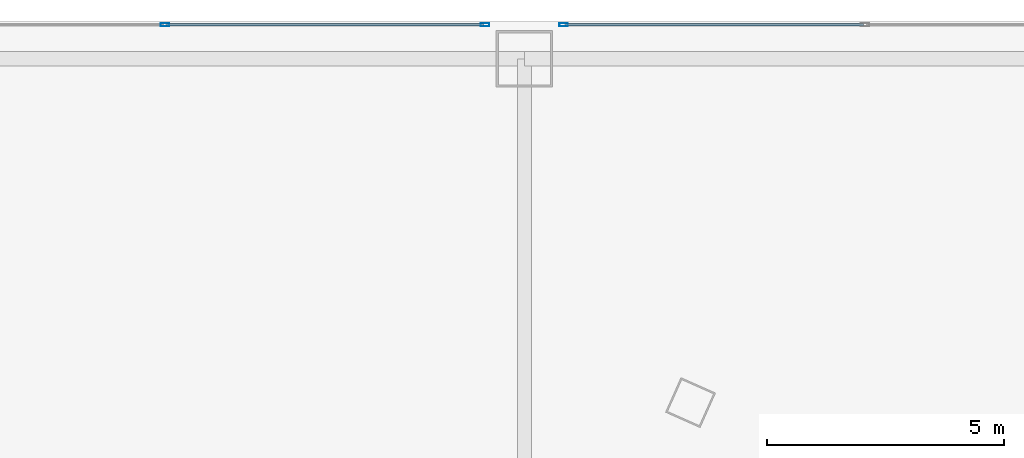
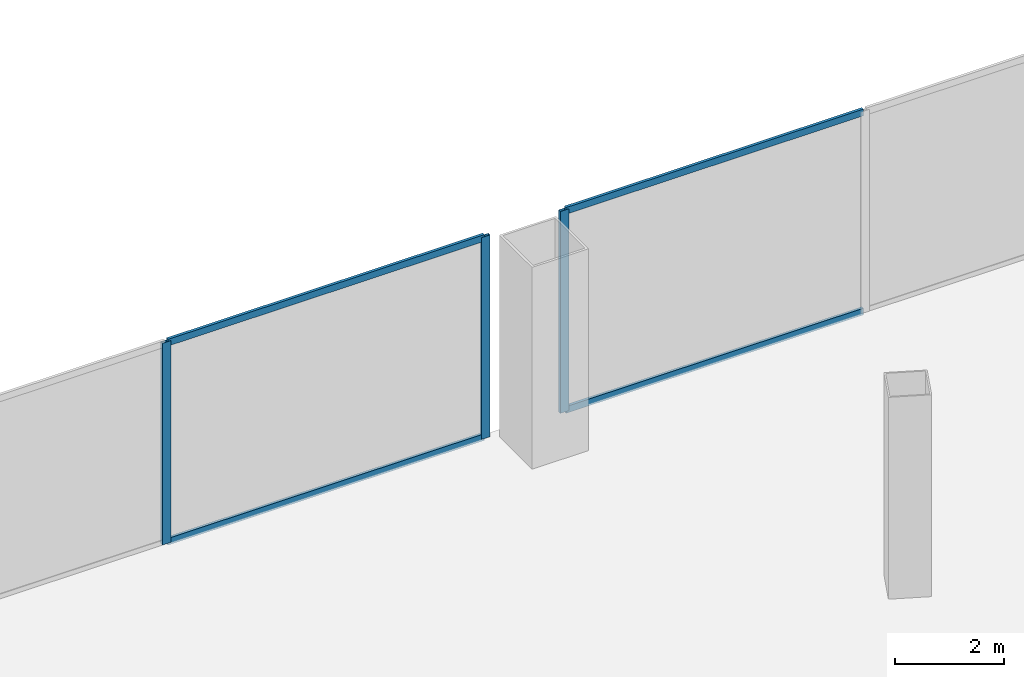
# One storey, part 26 of 40: 7 members, 2 elements without a shape of their own.
"""IFC4 building model written with IfcOpenShell, lengths in metres."""

from ifc_helpers import new_model, si_unit, direction, frame, origin, origin_2d, place, context, subcontext, project, spatial, hollow_rectangle, extrude, source, transform, mapped, material, layer, layer_set, material_profile, profile_set, type_object, element, aggregate, save


model = new_model("IFC4")

# Units and contexts
model_context = context("Model", 3, precision=1e-05, world=origin(), true_north=direction((0.0, 1.0)))
body_context = subcontext(model_context, "Body", "Model", "MODEL_VIEW")
ifc_project = project(units=[si_unit("LENGTHUNIT", "METRE"), si_unit("AREAUNIT", "SQUARE_METRE"), si_unit("VOLUMEUNIT", "CUBIC_METRE"), si_unit("PLANEANGLEUNIT", "RADIAN"), si_unit("MASSUNIT", "GRAM", prefix="KILO"), si_unit("THERMODYNAMICTEMPERATUREUNIT", "KELVIN"), si_unit("POWERUNIT", "WATT")], contexts=[model_context])

# Site, building, storey
site_placement = place(None, origin())
site = spatial("IfcSite", under=ifc_project, at=site_placement, CompositionType="ELEMENT")
building_placement = place(site_placement, origin())
building = spatial("IfcBuilding", under=site, at=building_placement, Name="Yunzhuo Pagoda Commons", CompositionType="ELEMENT")
storey_placement = place(building_placement, frame((0.0, 0.0, 14.39990234375)))
storey = spatial("IfcBuildingStorey", under=building, at=storey_placement, Name="L04", CompositionType="ELEMENT", Elevation=14.39990234375)

# Curtain wall, members
ifc_material = material(Name="Anodized aluminium 6063-T6", Category="aluminium")
ifc_layer = layer(ifc_material, 0.179931640625)
ifc_layer_set = layer_set([ifc_layer], Name="Anodized aluminium 6063-T6")
curtain_wall_type = type_object("IfcCurtainWallType", Name="CW-POD Waterfront Podium Curtain Wall", PredefinedType="NOTDEFINED", material=ifc_layer_set)
curtain_wall_1_placement = place(storey_placement, origin())
curtain_wall_1 = element("IfcCurtainWall", 1, at=curtain_wall_1_placement, inside=storey, type_object=curtain_wall_type, Name="L04 curtain wall CW-L04-N3", PredefinedType="NOTDEFINED")
ifc_material_profile_1 = material_profile(ifc_material, hollow_rectangle(XDim=0.06494140625, YDim=0.179931640625, WallThickness=0.00390625, at=origin_2d()), Name="Anodized aluminium 6063-T6")
ifc_profile_set_1 = profile_set([ifc_material_profile_1], Name="Anodized aluminium 6063-T6")
member_type_1 = type_object("IfcMemberType", Name="CW-POD-M Mullion RHS 180x65x4", PredefinedType="MULLION", material=ifc_profile_set_1)
shared_shape_1 = source(origin(), body_context, "Body", "SweptSolid", [
    extrude(hollow_rectangle(XDim=0.06494140625, YDim=0.179931640625, WallThickness=0.00390625, at=origin_2d()), origin(), (0.0, 0.0, 1.0), 4.52001953125),
])
member_1_placement = place(storey_placement, frame((54.800048828125, 81.919921875, 0.0), z_axis=(0.0, 0.0, 1.0), x_axis=(0.0, 1.0, 0.0)))
member_1 = element("IfcMember", 2, at=member_1_placement, type_object=member_type_1, Name="CW mullion 4", PredefinedType="MULLION", context=body_context, shape_type="MappedRepresentation", body=[
    mapped(shared_shape_1, transform((0.0, 0.0, 0.0), scale=1.0)),
])
member_2_placement = place(storey_placement, frame((61.5673828125, 81.919921875, 0.0), z_axis=(0.0, 0.0, 1.0), x_axis=(0.0, 1.0, 0.0)))
member_2 = element("IfcMember", 3, at=member_2_placement, type_object=member_type_1, Name="CW mullion 5", PredefinedType="MULLION", context=body_context, shape_type="MappedRepresentation", body=[
    mapped(shared_shape_1, transform((0.0, 0.0, 0.0), scale=1.0)),
])

curtain_wall_2_placement = place(storey_placement, origin())
curtain_wall_2 = element("IfcCurtainWall", 4, at=curtain_wall_2_placement, inside=storey, type_object=curtain_wall_type, Name="L04 curtain wall CW-L04-N4", PredefinedType="NOTDEFINED")
member_3_placement = place(storey_placement, frame((63.232421875, 81.919921875, 0.0), z_axis=(0.0, 0.0, 1.0), x_axis=(0.0, 1.0, 0.0)))
member_3 = element("IfcMember", 5, at=member_3_placement, type_object=member_type_1, Name="CW mullion 1", PredefinedType="MULLION", context=body_context, shape_type="MappedRepresentation", body=[
    mapped(shared_shape_1, transform((0.0, 0.0, 0.0), scale=1.0)),
])
ifc_material_profile_2 = material_profile(ifc_material, hollow_rectangle(XDim=0.06005859375, YDim=0.14990234375, WallThickness=0.00390625, at=origin_2d()), Name="Anodized aluminium 6063-T6")
ifc_profile_set_2 = profile_set([ifc_material_profile_2], Name="Anodized aluminium 6063-T6")
member_type_2 = type_object("IfcMemberType", Name="CW-POD-T Transom RHS 150x60x4", PredefinedType="USERDEFINED", material=ifc_profile_set_2)
shared_shape_2 = source(origin(), body_context, "Body", "SweptSolid", [
    extrude(hollow_rectangle(XDim=0.06005859375, YDim=0.14990234375, WallThickness=0.00390625, at=origin_2d()), origin(), (0.0, 0.0, 1.0), 6.302490234375),
])
member_4_placement = place(storey_placement, frame((63.264892578125, 81.919921875, 0.030029296875), z_axis=(1.0, 0.0, 0.0), x_axis=(0.0, 1.0, 0.0)))
member_4 = element("IfcMember", 6, at=member_4_placement, type_object=member_type_2, Name="CW transom 1.1", ObjectType="TRANSOM", PredefinedType="USERDEFINED", context=body_context, shape_type="MappedRepresentation", body=[
    mapped(shared_shape_2, transform((0.0, 0.0, 0.0), scale=1.0)),
])
member_5_placement = place(storey_placement, frame((63.264892578125, 81.919921875, 4.489990234375), z_axis=(1.0, 0.0, 0.0), x_axis=(0.0, 1.0, 0.0)))
member_5 = element("IfcMember", 7, at=member_5_placement, type_object=member_type_2, Name="CW transom 1.2", ObjectType="TRANSOM", PredefinedType="USERDEFINED", context=body_context, shape_type="MappedRepresentation", body=[
    mapped(shared_shape_2, transform((0.0, 0.0, 0.0), scale=1.0)),
])
aggregate(curtain_wall_2, [member_3, member_4, member_5])

# Member
shared_shape_3 = source(origin(), body_context, "Body", "SweptSolid", [
    extrude(hollow_rectangle(XDim=0.06005859375, YDim=0.14990234375, WallThickness=0.00390625, at=origin_2d()), origin(), (0.0, 0.0, 1.0), 6.7021484375),
])
member_6_placement = place(storey_placement, frame((54.832763671875, 81.919921875, 0.030029296875), z_axis=(1.0, 0.0, 0.0), x_axis=(0.0, 1.0, 0.0)))
member_6 = element("IfcMember", 8, at=member_6_placement, type_object=member_type_2, Name="CW transom 4.1", ObjectType="TRANSOM", PredefinedType="USERDEFINED", context=body_context, shape_type="MappedRepresentation", body=[
    mapped(shared_shape_3, transform((0.0, 0.0, 0.0), scale=1.0)),
])

member_7_placement = place(storey_placement, frame((54.832763671875, 81.919921875, 4.489990234375), z_axis=(1.0, 0.0, 0.0), x_axis=(0.0, 1.0, 0.0)))
member_7 = element("IfcMember", 9, at=member_7_placement, type_object=member_type_2, Name="CW transom 4.2", ObjectType="TRANSOM", PredefinedType="USERDEFINED", context=body_context, shape_type="MappedRepresentation", body=[
    mapped(shared_shape_3, transform((0.0, 0.0, 0.0), scale=1.0)),
])

aggregate(curtain_wall_1, [member_1, member_2, member_6, member_7])

save(model, "model.ifc")
